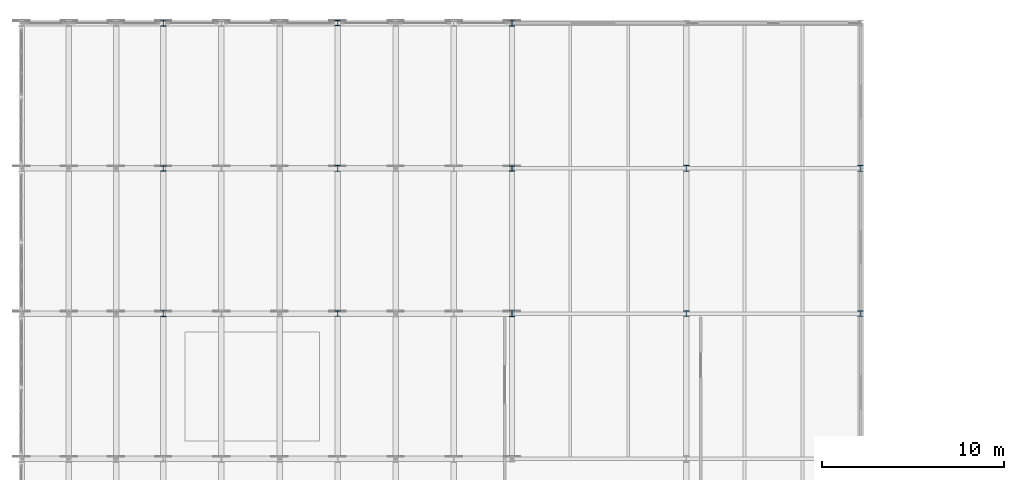
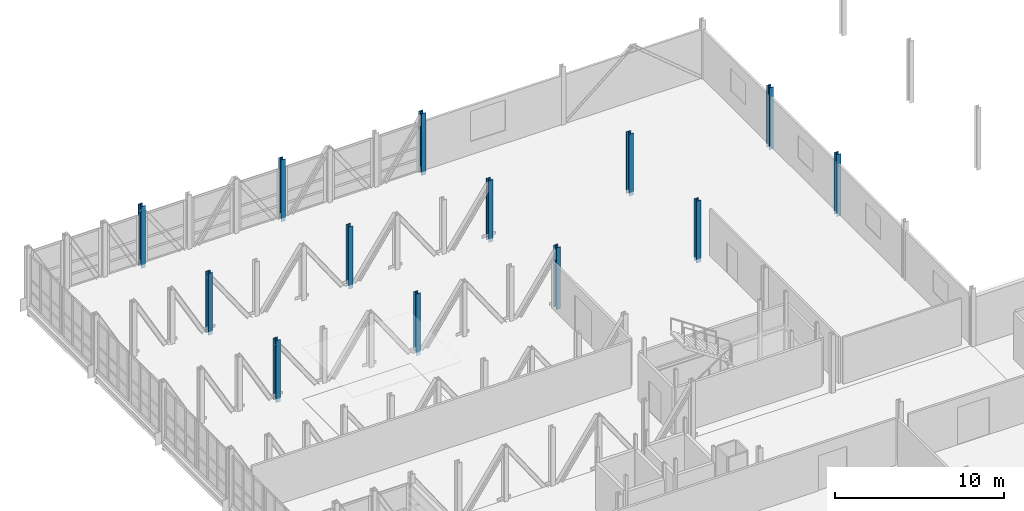
# One storey, part 13 of 73: 13 columns.
"""IFC4 building model written with IfcOpenShell, lengths in metres."""

from ifc_helpers import new_model, si_unit, direction, frame, origin, origin_2d, place, context, subcontext, project, spatial, i_section, extrude, material, material_profile, profile_set, type_object, element, save


model = new_model("IFC4")

# Units and contexts
model_context = context("Model", 3, precision=1e-05, world=origin(), true_north=direction((0.0, 1.0)))
body_context = subcontext(model_context, "Body", "Model", "MODEL_VIEW")
ifc_project = project(units=[si_unit("LENGTHUNIT", "METRE"), si_unit("AREAUNIT", "SQUARE_METRE"), si_unit("VOLUMEUNIT", "CUBIC_METRE"), si_unit("PLANEANGLEUNIT", "RADIAN"), si_unit("MASSUNIT", "GRAM", prefix="KILO")], contexts=[model_context])

# Site, building, storey
site_placement = place(None, origin())
site = spatial("IfcSite", under=ifc_project, at=site_placement, CompositionType="ELEMENT")
building_placement = place(site_placement, origin())
building = spatial("IfcBuilding", under=site, at=building_placement, Name="Alderhovde Museum", CompositionType="ELEMENT")
storey_placement = place(building_placement, frame((0.0, 0.0, 12.89990234375)))
storey = spatial("IfcBuildingStorey", under=building, at=storey_placement, Name="L03", CompositionType="ELEMENT", Elevation=12.89990234375)

# Columns
ifc_material_1 = material(Name="Steel S355J2", Category="steel")
ifc_material_profile_1 = material_profile(ifc_material_1, i_section(OverallWidth=0.300048828125, OverallDepth=0.300048828125, WebThickness=0.010986328125, FlangeThickness=0.01904296875, FilletRadius=0.027099609375, at=origin_2d()), Name="HEB 300")
ifc_profile_set_1 = profile_set([ifc_material_profile_1], Name="Steel S355J2")
column_type_1 = type_object("IfcColumnType", Name="COL-HEB300", PredefinedType="COLUMN", material=ifc_profile_set_1)
for number, where, z_axis, x_axis, name in (
    (1, (9.60009765625, 104.0, -0.260009765625), (0.0, 0.0, 1.0), (1.0, 0.0, 0.0), "L03 Column (9.6, 104.0)"),
    (2, (19.199951171875, 96.0, -0.260009765625), (0.0, 0.0, 1.0), (1.0, 0.0, 0.0), "L03 Column (19.2, 96.0)"),
    (3, (19.199951171875, 112.0, -0.260009765625), (0.0, 0.0, 1.0), (1.0, 0.0, 0.0), "L03 Column (19.2, 112.0)"),
    (4, (28.800048828125, 104.0, -0.260009765625), (0.0, 0.0, 1.0), (1.0, 0.0, 0.0), "L03 Column (28.8, 104.0)"),
    (5, (38.39990234375, 96.0, -0.260009765625), (0.0, 0.0, 1.0), (1.0, 0.0, 0.0), "L03 Column (38.4, 96.0)"),
    (6, (48.0, 96.0, -0.260009765625), (0.0, 0.0, 1.0), (1.0, 0.0, 0.0), "L03 Column (48.0, 96.0)"),
):
    element("IfcColumn", number, at=place(storey_placement, frame(where, z_axis=z_axis, x_axis=x_axis)), inside=storey, type_object=column_type_1, Name=name, PredefinedType="COLUMN", context=body_context, shape_type="SweptSolid", body=[
        extrude(i_section(OverallWidth=0.300048828125, OverallDepth=0.300048828125, WebThickness=0.010986328125, FlangeThickness=0.01904296875, FilletRadius=0.027099609375, at=origin_2d()), origin(), (0.0, 0.0, 1.0), 4.480224609375),
    ])
ifc_material_2 = material(Name="Steel S355J2", Category="steel")
ifc_material_profile_2 = material_profile(ifc_material_2, i_section(OverallWidth=0.300048828125, OverallDepth=0.340087890625, WebThickness=0.011962890625, FlangeThickness=0.021484375, FilletRadius=0.027099609375, at=origin_2d()), Name="HEB 340")
ifc_profile_set_2 = profile_set([ifc_material_profile_2], Name="Steel S355J2")
column_type_2 = type_object("IfcColumnType", Name="COL-HEB340", PredefinedType="COLUMN", material=ifc_profile_set_2)
for number, where, z_axis, x_axis, name in (
    (7, (9.60009765625, 96.0, -0.260009765625), (0.0, 0.0, 1.0), (1.0, 0.0, 0.0), "L03 Column (9.6, 96.0)"),
    (8, (9.60009765625, 112.0, -0.260009765625), (0.0, 0.0, 1.0), (1.0, 0.0, 0.0), "L03 Column (9.6, 112.0)"),
    (9, (19.199951171875, 104.0, -0.260009765625), (0.0, 0.0, 1.0), (1.0, 0.0, 0.0), "L03 Column (19.2, 104.0)"),
    (10, (28.800048828125, 96.0, -0.260009765625), (0.0, 0.0, 1.0), (1.0, 0.0, 0.0), "L03 Column (28.8, 96.0)"),
    (11, (28.800048828125, 112.0, -0.260009765625), (0.0, 0.0, 1.0), (1.0, 0.0, 0.0), "L03 Column (28.8, 112.0)"),
    (12, (38.39990234375, 104.0, -0.260009765625), (0.0, 0.0, 1.0), (1.0, 0.0, 0.0), "L03 Column (38.4, 104.0)"),
    (13, (48.0, 104.0, -0.260009765625), (0.0, 0.0, 1.0), (1.0, 0.0, 0.0), "L03 Column (48.0, 104.0)"),
):
    element("IfcColumn", number, at=place(storey_placement, frame(where, z_axis=z_axis, x_axis=x_axis)), inside=storey, type_object=column_type_2, Name=name, PredefinedType="COLUMN", context=body_context, shape_type="SweptSolid", body=[
        extrude(i_section(OverallWidth=0.300048828125, OverallDepth=0.340087890625, WebThickness=0.011962890625, FlangeThickness=0.021484375, FilletRadius=0.027099609375, at=origin_2d()), origin(), (0.0, 0.0, 1.0), 4.480224609375),
    ])

save(model, "model.ifc")
